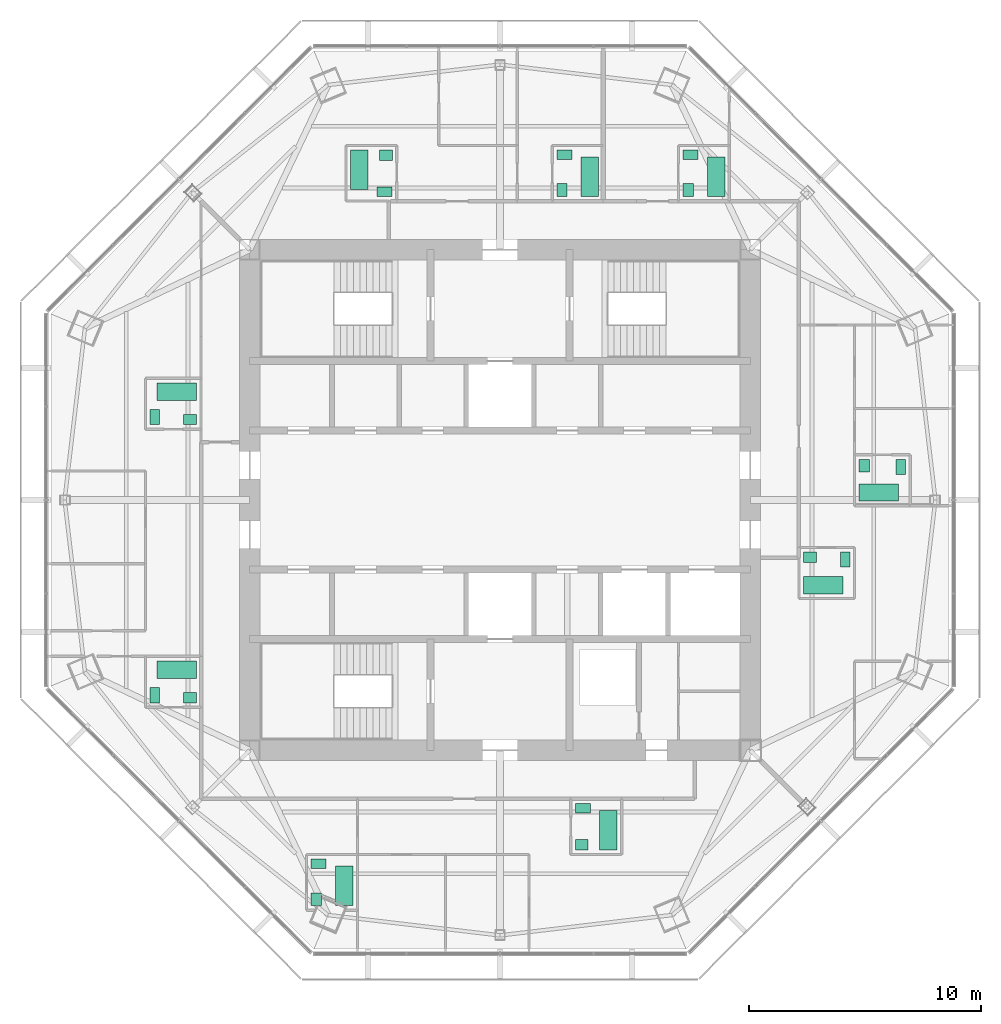
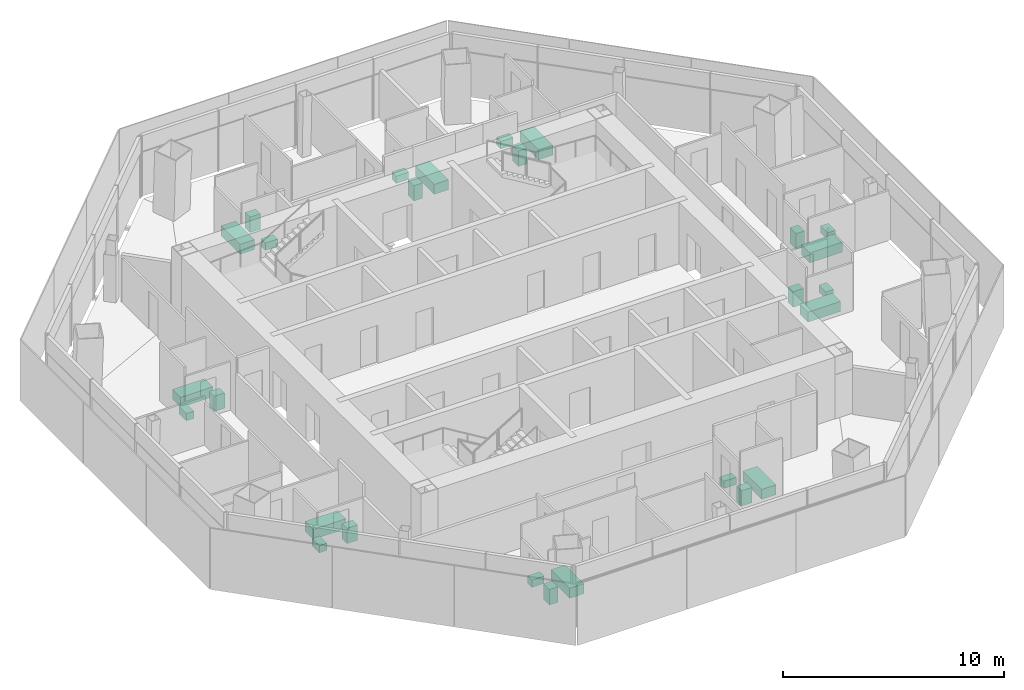
# One storey, part 15 of 15: 27 sanitary terminals.
"""IFC4 building model written with IfcOpenShell, lengths in metres."""

from ifc_helpers import new_model, si_unit, direction, frame, origin, origin_2d, place, context, subcontext, project, spatial, rectangle, extrude, material, type_object, element, save


model = new_model("IFC4")

# Units and contexts
model_context = context("Model", 3, precision=1e-05, world=origin(), true_north=direction((0.0, 1.0)))
body_context = subcontext(model_context, "Body", "Model", "MODEL_VIEW")
ifc_project = project(units=[si_unit("LENGTHUNIT", "METRE"), si_unit("AREAUNIT", "SQUARE_METRE"), si_unit("VOLUMEUNIT", "CUBIC_METRE"), si_unit("PLANEANGLEUNIT", "RADIAN"), si_unit("MASSUNIT", "GRAM", prefix="KILO")], contexts=[model_context])

# Site, building, storey
site_placement = place(None, origin())
site = spatial("IfcSite", under=ifc_project, at=site_placement, CompositionType="ELEMENT")
building_placement = place(site_placement, origin())
building = spatial("IfcBuilding", under=site, at=building_placement, Name="Mashrafa Tower", CompositionType="ELEMENT")
storey_placement = place(building_placement, frame((0.0, 0.0, 298.0)))
storey = spatial("IfcBuildingStorey", under=building, at=storey_placement, Name="L73", CompositionType="ELEMENT", Elevation=298.0)

# Sanitary terminals
ifc_material_1 = material(Name="Enamelled steel", Category="steel")
sanitary_terminal_type_1 = type_object("IfcSanitaryTerminalType", Name="Bath 1700 x 750", PredefinedType="BATH", material=ifc_material_1)
for number, where, z_axis, x_axis, name in (
    (1, (13.949951171875, -3.675048828125, 0.0), (0.0, 0.0, 1.0), (1.0, 0.0, 0.0), "Bath Apartment 7301 Bathroom"),
    (2, (16.35009765625, 0.324951171875, 0.0), (0.0, 0.0, 1.0), (1.0, 0.0, 0.0), "Bath Apartment 7301 En-suite Bathroom"),
    (3, (9.324951171875, 13.949951171875, 0.0), (0.0, 0.0, 1.0), (0.0, 1.0, 0.0), "Bath Apartment 7302 Bathroom"),
    (4, (-6.074951171875, 14.25, 0.0), (0.0, 0.0, 1.0), (0.0, -1.0, 0.0), "Bath Apartment 7303 Bathroom"),
    (5, (3.875, 13.949951171875, 0.0), (0.0, 0.0, 1.0), (0.0, 1.0, 0.0), "Bath Apartment 7303 En-suite Bathroom"),
    (6, (-13.949951171875, 4.675048828125, 0.0), (0.0, 0.0, 1.0), (-1.0, 0.0, 0.0), "Bath Apartment 7304 Bathroom"),
    (7, (-13.949951171875, -7.324951171875, 0.0), (0.0, 0.0, 1.0), (-1.0, 0.0, 0.0), "Bath Apartment 7304 En-suite Bathroom"),
    (8, (4.675048828125, -14.25, 0.0), (0.0, 0.0, 1.0), (0.0, 1.0, 0.0), "Bath Apartment 7305 Bathroom"),
    (9, (-6.72509765625, -16.64990234375, 0.0), (0.0, 0.0, 1.0), (0.0, 1.0, 0.0), "Bath Apartment 7305 En-suite Bathroom"),
):
    element("IfcSanitaryTerminal", number, at=place(storey_placement, frame(where, z_axis=z_axis, x_axis=x_axis)), inside=storey, type_object=sanitary_terminal_type_1, Name=name, PredefinedType="BATH", context=body_context, shape_type="SweptSolid", body=[
        extrude(rectangle(XDim=1.699951171875, YDim=0.75, at=origin_2d()), origin(), (0.0, 0.0, 1.0), 0.550048828125),
    ])
ifc_material_2 = material(Name="Vitreous china")
sanitary_terminal_type_2 = type_object("IfcSanitaryTerminalType", Name="Toilet pan 400 x 650", PredefinedType="TOILETPAN", material=ifc_material_2)
for number, where, z_axis, x_axis, name in (
    (10, (14.89990234375, -2.574951171875, 0.0), (0.0, 0.0, 1.0), (-1.0, 0.0, 0.0), "Toilet pan Apartment 7301 Bathroom"),
    (11, (17.300048828125, 1.425048828125, 0.0), (0.0, 0.0, 1.0), (-1.0, 0.0, 0.0), "Toilet pan Apartment 7301 En-suite Bathroom"),
    (12, (8.22509765625, 14.89990234375, 0.0), (0.0, 0.0, 1.0), (0.0, -1.0, 0.0), "Toilet pan Apartment 7302 Bathroom"),
    (13, (-4.97509765625, 13.300048828125, 0.0), (0.0, 0.0, 1.0), (0.0, 1.0, 0.0), "Toilet pan Apartment 7303 Bathroom"),
    (14, (2.77490234375, 14.89990234375, 0.0), (0.0, 0.0, 1.0), (0.0, -1.0, 0.0), "Toilet pan Apartment 7303 En-suite Bathroom"),
    (15, (-14.89990234375, 3.574951171875, 0.0), (0.0, 0.0, 1.0), (1.0, 0.0, 0.0), "Toilet pan Apartment 7304 Bathroom"),
    (16, (-14.89990234375, -8.425048828125, 0.0), (0.0, 0.0, 1.0), (1.0, 0.0, 0.0), "Toilet pan Apartment 7304 En-suite Bathroom"),
    (17, (3.574951171875, -13.300048828125, 0.0), (0.0, 0.0, 1.0), (0.0, -1.0, 0.0), "Toilet pan Apartment 7305 Bathroom"),
    (18, (-7.824951171875, -15.699951171875, 0.0), (0.0, 0.0, 1.0), (0.0, -1.0, 0.0), "Toilet pan Apartment 7305 En-suite Bathroom"),
):
    element("IfcSanitaryTerminal", number, at=place(storey_placement, frame(where, z_axis=z_axis, x_axis=x_axis)), inside=storey, type_object=sanitary_terminal_type_2, Name=name, PredefinedType="TOILETPAN", context=body_context, shape_type="SweptSolid", body=[
        extrude(rectangle(XDim=0.39990234375, YDim=0.64990234375, at=origin_2d()), origin(), (0.0, 0.0, 1.0), 0.39990234375),
    ])
ifc_material_3 = material(Name="Vitreous china")
sanitary_terminal_type_3 = type_object("IfcSanitaryTerminalType", Name="Wash basin 550 x 450", PredefinedType="WASHHANDBASIN", material=ifc_material_3)
for number, where, z_axis, x_axis, name in (
    (19, (13.375, -2.47509765625, 0.0), (0.0, 0.0, 1.0), (-1.0, 0.0, 0.0), "Wash basin Apartment 7301 Bathroom"),
    (20, (15.72509765625, 1.47509765625, 0.0), (0.0, 0.0, 1.0), (0.0, -1.0, 0.0), "Wash basin Apartment 7301 En-suite Bathroom"),
    (21, (8.125, 13.375, 0.0), (0.0, 0.0, 1.0), (0.0, -1.0, 0.0), "Wash basin Apartment 7302 Bathroom"),
    (22, (-4.925048828125, 14.875, 0.0), (0.0, 0.0, 1.0), (-1.0, 0.0, 0.0), "Wash basin Apartment 7303 Bathroom"),
    (23, (2.675048828125, 13.375, 0.0), (0.0, 0.0, 1.0), (0.0, -1.0, 0.0), "Wash basin Apartment 7303 En-suite Bathroom"),
    (24, (-13.375, 3.47509765625, 0.0), (0.0, 0.0, 1.0), (1.0, 0.0, 0.0), "Wash basin Apartment 7304 Bathroom"),
    (25, (-13.375, -8.52490234375, 0.0), (0.0, 0.0, 1.0), (1.0, 0.0, 0.0), "Wash basin Apartment 7304 En-suite Bathroom"),
    (26, (3.52490234375, -14.875, 0.0), (0.0, 0.0, 1.0), (1.0, 0.0, 0.0), "Wash basin Apartment 7305 Bathroom"),
    (27, (-7.925048828125, -17.22509765625, 0.0), (0.0, 0.0, 1.0), (0.0, -1.0, 0.0), "Wash basin Apartment 7305 En-suite Bathroom"),
):
    element("IfcSanitaryTerminal", number, at=place(storey_placement, frame(where, z_axis=z_axis, x_axis=x_axis)), inside=storey, type_object=sanitary_terminal_type_3, Name=name, PredefinedType="WASHHANDBASIN", context=body_context, shape_type="SweptSolid", body=[
        extrude(rectangle(XDim=0.550048828125, YDim=0.449951171875, at=origin_2d()), origin(), (0.0, 0.0, 1.0), 0.85009765625),
    ])

save(model, "model.ifc")
